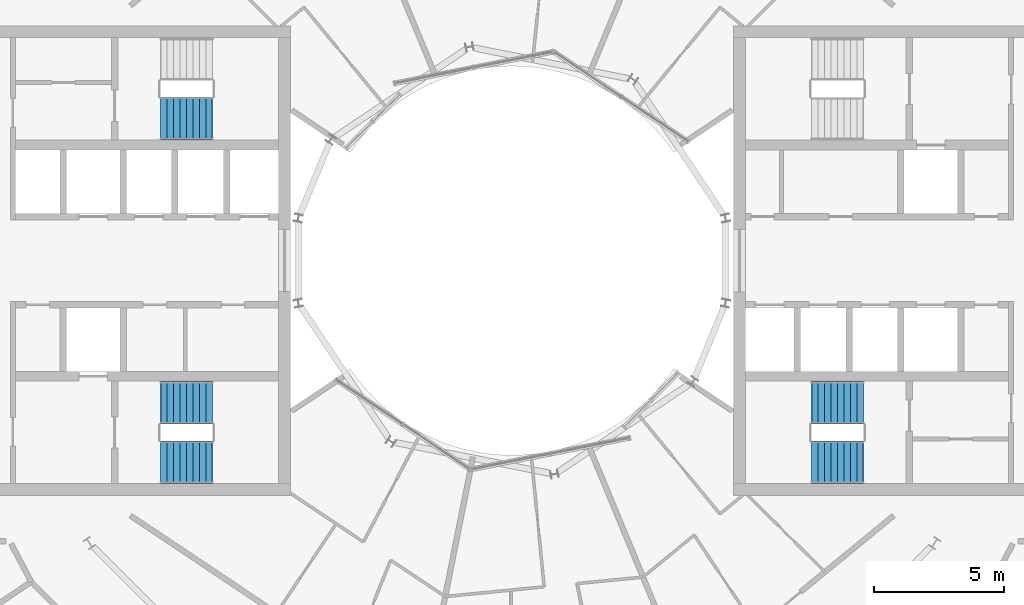
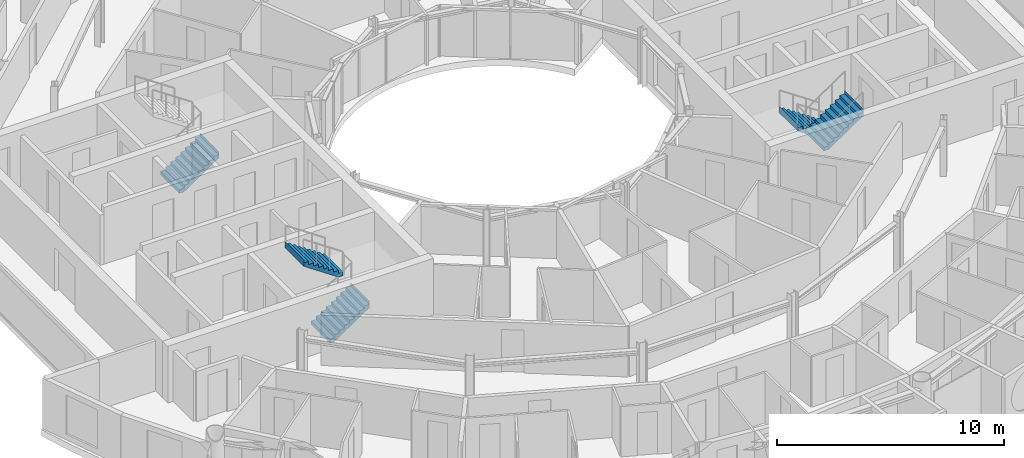
# One storey, part 26 of 29: 5 stair flights, 3 elements without a shape of their own.
"""IFC4 building model written with IfcOpenShell, lengths in metres."""

import ifcopenshell
import ifcopenshell.guid

model = None  # the IFC model being written
_history = None  # IfcOwnerHistory: only IFC2X3 demands one
_inside = {}  # id of a spatial element -> (the spatial element, [elements in it])
_under = {}  # id of a project, library or spatial element -> (it, [spatial elements below it])
_declared = {}  # id of a project -> (the project, [libraries it declares])
_typed = {}  # id of a type object -> (the type object, [elements of that type])
_made_of = {}  # id of a material, layer set ... -> (it, [elements and type objects made of it])


def new_model(schema):
    """Start an empty IFC model of exactly this schema.

    Asked for "IFC4X3", IfcOpenShell would pick the latest addendum, in which some entities
    have other attributes; the version numbers below select the first issue.
    IFC2X3 requires an IfcOwnerHistory on every rooted entity: one is made here for all.
    """
    global model, _history
    if schema == "IFC4X3":
        model = ifcopenshell.file(schema_version=(4, 3, 0, 0))
    else:
        model = ifcopenshell.file(schema=schema)
    _inside.clear()
    _under.clear()
    _declared.clear()
    _typed.clear()
    _made_of.clear()
    _history = None
    if model.schema == "IFC2X3":
        org = make("IfcOrganization", Name="unknown")
        user = make(
            "IfcPersonAndOrganization",
            ThePerson=make("IfcPerson", FamilyName="unknown"),
            TheOrganization=org,
        )
        app = make(
            "IfcApplication",
            ApplicationDeveloper=org,
            Version="unknown",
            ApplicationFullName="unknown",
            ApplicationIdentifier="unknown",
        )
        _history = make(
            "IfcOwnerHistory",
            OwningUser=user,
            OwningApplication=app,
            ChangeAction="ADDED",
            CreationDate=0,
        )
    return model


def make(cls, **values):
    """One entity of the class cls with the attributes given. An attribute that is None is left unset."""
    return model.create_entity(
        cls, **{name: value for name, value in values.items() if value is not None}
    )


def rooted(cls, **values):
    """An entity with a GlobalId (a new one), such as an element, a storey or a relation."""
    return make(cls, GlobalId=ifcopenshell.guid.new(), OwnerHistory=_history, **values)


def si_unit(unit_type, name, prefix=None):
    """IfcSIUnit, for example si_unit("LENGTHUNIT", "METRE", prefix="MILLI")."""
    return make("IfcSIUnit", UnitType=unit_type, Prefix=prefix, Name=name)


def assignment(units):
    """IfcUnitAssignment: the units of a project."""
    return None if units is None else make("IfcUnitAssignment", Units=units)


def point(xyz):
    """IfcCartesianPoint."""
    return None if xyz is None else make("IfcCartesianPoint", Coordinates=xyz)


def direction(xyz):
    """IfcDirection."""
    return None if xyz is None else make("IfcDirection", DirectionRatios=xyz)


def frame(location, z_axis=None, x_axis=None):
    """IfcAxis2Placement3D, a coordinate frame: its origin and axes. An axis left out is left unset."""
    return make(
        "IfcAxis2Placement3D",
        Location=point(location),
        Axis=direction(z_axis),
        RefDirection=direction(x_axis),
    )


def origin():
    """The frame at (0, 0, 0) with its axes left unset."""
    return frame((0.0, 0.0, 0.0))


def place(relative_to, where):
    """IfcLocalPlacement: puts the frame where relative to a parent placement (None: the world)."""
    return make(
        "IfcLocalPlacement", PlacementRelTo=relative_to, RelativePlacement=where
    )


def context(
    kind, dimensions, precision=None, world=None, true_north=None, identifier=None
):
    """IfcGeometricRepresentationContext, for example the 3D "Model" context."""
    return make(
        "IfcGeometricRepresentationContext",
        ContextIdentifier=identifier,
        ContextType=kind,
        CoordinateSpaceDimension=dimensions,
        Precision=precision,
        WorldCoordinateSystem=world,
        TrueNorth=true_north,
    )


def subcontext(parent, identifier, kind, view, scale=None):
    """IfcGeometricRepresentationSubContext, for example "Body" below "Model"."""
    return make(
        "IfcGeometricRepresentationSubContext",
        ContextIdentifier=identifier,
        ContextType=kind,
        ParentContext=parent,
        TargetScale=scale,
        TargetView=view,
    )


def project(units=None, contexts=None):
    """IfcProject with its units and contexts."""
    return rooted(
        "IfcProject",
        Name="project",
        RepresentationContexts=contexts,
        UnitsInContext=assignment(units),
    )


def spatial(cls, under=None, at=None, **own):
    """A site, building, storey or space (cls), placed at a placement, below another one or the project."""
    s = rooted(cls, ObjectPlacement=at, **own)
    if under is not None:
        _under.setdefault(under.id(), (under, []))[1].append(s)
    return s


def point_list(points):
    """IfcCartesianPointList2D or 3D."""
    cls = (
        "IfcCartesianPointList2D" if len(points[0]) == 2 else "IfcCartesianPointList3D"
    )
    return make(cls, CoordList=points)


def triangles(points, corners, closed=None, point_numbers=None):
    """IfcTriangulatedFaceSet: each triangle names its three corners, points numbered from 1."""
    return make(
        "IfcTriangulatedFaceSet",
        Coordinates=point_list(points),
        Closed=closed,
        CoordIndex=corners,
        PnIndex=point_numbers,
    )


def shape(context_of_items, identifier, shape_type, items):
    """IfcShapeRepresentation: the items that make up one representation, for example the "Body"."""
    return make(
        "IfcShapeRepresentation",
        ContextOfItems=context_of_items,
        RepresentationIdentifier=identifier,
        RepresentationType=shape_type,
        Items=items,
    )


def material(Name=None, Category=None):
    """IfcMaterial."""
    return make("IfcMaterial", Name=Name, Category=Category)


def made_of(thing, what):
    """Note that an element or type object is made of a material, layer set ...; save() writes the relation."""
    if what is not None:
        _made_of.setdefault(what.id(), (what, []))[1].append(thing)
    return thing


def type_object(cls, material=None, **own):
    """A type object (cls), such as IfcWallType, which elements share."""
    return made_of(rooted(cls, **own), material)


def element(
    cls,
    number,
    at=None,
    inside=None,
    cuts=None,
    type_object=None,
    material=None,
    context=None,
    identifier="Body",
    shape_type=None,
    held_by="IfcProductDefinitionShape",
    body=None,
    shapes=None,
    **own,
):
    """One element of the class cls, such as IfcWall. Its Tag is "e" and its number.

    at: its placement. inside: the storey or other place that contains it. cuts: it is an
    opening in that element (IfcRelVoidsElement). A single representation is given by context,
    identifier, shape_type and body (its items); several are given by shapes. held_by: the class
    of the entity that holds the representations. save() writes the other relations.
    """
    e = rooted(cls, Tag="e%d" % number, ObjectPlacement=at, **own)
    if body is not None:
        shapes = [shape(context, identifier, shape_type, body)]
    if shapes is not None:
        e.Representation = make(held_by, Representations=shapes)
    if inside is not None:
        _inside.setdefault(inside.id(), (inside, []))[1].append(e)
    if cuts is not None:
        rooted(
            "IfcRelVoidsElement", RelatingBuildingElement=cuts, RelatedOpeningElement=e
        )
    if type_object is not None:
        _typed.setdefault(type_object.id(), (type_object, []))[1].append(e)
    return made_of(e, material)


def aggregate(whole, parts):
    """IfcRelAggregates: a whole, such as a stair, and the parts it consists of."""
    return rooted("IfcRelAggregates", RelatingObject=whole, RelatedObjects=parts)


def save(model, path):
    """Write the relations noted so far, then the file.

    IfcRelAggregates (storeys below a building ...), IfcRelContainedInSpatialStructure (elements
    in a storey), IfcRelDefinesByType, IfcRelAssociatesMaterial and IfcRelDeclares: one each for
    every whole, place, type object, material and project.
    """
    for whole, parts in _under.values():
        aggregate(whole, parts)
    for where, things in _inside.values():
        rooted(
            "IfcRelContainedInSpatialStructure",
            RelatedElements=things,
            RelatingStructure=where,
        )
    for kind, things in _typed.values():
        rooted("IfcRelDefinesByType", RelatedObjects=things, RelatingType=kind)
    for what, things in _made_of.values():
        rooted("IfcRelAssociatesMaterial", RelatedObjects=things, RelatingMaterial=what)
    for by, libraries in _declared.values():
        rooted("IfcRelDeclares", RelatingContext=by, RelatedDefinitions=libraries)
    model.write(path)


model = new_model("IFC4")

# Units and contexts
model_context = context("Model", 3, precision=1e-05, world=origin(), true_north=direction((0.0, 1.0)))
body_context = subcontext(model_context, "Body", "Model", "MODEL_VIEW")
ifc_project = project(units=[si_unit("LENGTHUNIT", "METRE"), si_unit("AREAUNIT", "SQUARE_METRE"), si_unit("VOLUMEUNIT", "CUBIC_METRE"), si_unit("PLANEANGLEUNIT", "RADIAN"), si_unit("MASSUNIT", "GRAM", prefix="KILO")], contexts=[model_context])

# Site, building, storey
site_placement = place(None, origin())
site = spatial("IfcSite", under=ifc_project, at=site_placement, CompositionType="ELEMENT")
building_placement = place(site_placement, origin())
building = spatial("IfcBuilding", under=site, at=building_placement, Name="Maasbend Ring Residences", CompositionType="ELEMENT")
storey_placement = place(building_placement, frame((0.0, 0.0, 215.75)))
storey = spatial("IfcBuildingStorey", under=building, at=storey_placement, Name="L62", CompositionType="ELEMENT", Elevation=215.75)

# Stair, stair flights
ifc_material_1 = material(Name="Concrete C40/50", Category="concrete")
stair_type = type_object("IfcStairType", Name="CORE STAIR 18 RISERS", PredefinedType="HALF_TURN_STAIR", material=ifc_material_1)
stair_1_placement = place(storey_placement, origin())
stair_1 = element("IfcStair", 1, at=stair_1_placement, inside=storey, type_object=stair_type, Name="L62 Exit stair ST-E2", PredefinedType="HALF_TURN_STAIR")
ifc_material_2 = material(Name="Concrete C40/50", Category="concrete")
stair_flight_type = type_object("IfcStairFlightType", Name="CORE STAIR FLIGHT 1650", PredefinedType="STRAIGHT", material=ifc_material_2)
stair_flight_1_placement = place(storey_placement, frame((13.550048828125, -5.47509765625, 0.0), z_axis=(0.0, 0.0, 1.0), x_axis=(-1.0, 0.0, 0.0)))
stair_flight_1 = element("IfcStairFlight", 2, at=stair_flight_1_placement, type_object=stair_flight_type, Name="ST-E2 flight 1", NumberOfRisers=9, NumberOfTreads=8, PredefinedType="STRAIGHT", RiserHeight=0.169444444, TreadLength=0.25, context=body_context, shape_type="Tessellation", body=[
    triangles([(0.24072265625, 0.824951171875, -0.02001953125), (2.0029296875, 0.824951171875, 1.174560546875), (2.0029296875, 0.824951171875, 1.52490234375), (1.989990234375, 0.824951171875, 1.35546875), (1.75, 0.824951171875, 1.35546875), (1.75, 0.824951171875, 1.18603515625), (1.5, 0.824951171875, 1.18603515625), (1.5, 0.824951171875, 1.0166015625), (1.25, 0.824951171875, 1.0166015625), (1.25, 0.824951171875, 0.84716796875), (1.0, 0.824951171875, 0.84716796875), (1.0, 0.824951171875, 0.677734375), (0.75, 0.824951171875, 0.677734375), (0.75, 0.824951171875, 0.50830078125), (0.5, 0.824951171875, 0.50830078125), (0.5, 0.824951171875, 0.3388671875), (0.25, 0.824951171875, 0.3388671875), (0.25, 0.824951171875, 0.16943359375), (0.0, 0.824951171875, 0.16943359375), (0.0, 0.824951171875, 0.0), (-0.0029296875, 0.824951171875, 0.0), (-0.0029296875, 0.824951171875, -0.02001953125), (0.24072265625, 0.27490234375, -0.02001953125), (2.0029296875, 0.27490234375, 1.174560546875), (2.0029296875, 0.27490234375, 1.52490234375), (1.989990234375, 0.27490234375, 1.35546875), (1.75, 0.27490234375, 1.35546875), (1.75, 0.27490234375, 1.18603515625), (1.5, 0.27490234375, 1.18603515625), (1.5, 0.27490234375, 1.0166015625), (1.25, 0.27490234375, 1.0166015625), (1.25, 0.27490234375, 0.84716796875), (1.0, 0.27490234375, 0.84716796875), (1.0, 0.27490234375, 0.677734375), (0.75, 0.27490234375, 0.677734375), (0.75, 0.27490234375, 0.50830078125), (0.5, 0.27490234375, 0.50830078125), (0.5, 0.27490234375, 0.3388671875), (0.25, 0.27490234375, 0.3388671875), (0.25, 0.27490234375, 0.16943359375), (0.0, 0.27490234375, 0.16943359375), (0.0, 0.27490234375, 0.0), (-0.0029296875, 0.27490234375, 0.0), (-0.0029296875, 0.27490234375, -0.02001953125), (0.24072265625, -0.27490234375, -0.02001953125), (2.0029296875, -0.27490234375, 1.174560546875), (2.0029296875, -0.27490234375, 1.52490234375), (1.989990234375, -0.27490234375, 1.35546875), (1.75, -0.27490234375, 1.35546875), (1.75, -0.27490234375, 1.18603515625), (1.5, -0.27490234375, 1.18603515625), (1.5, -0.27490234375, 1.0166015625), (1.25, -0.27490234375, 1.0166015625), (1.25, -0.27490234375, 0.84716796875), (1.0, -0.27490234375, 0.84716796875), (1.0, -0.27490234375, 0.677734375), (0.75, -0.27490234375, 0.677734375), (0.75, -0.27490234375, 0.50830078125), (0.5, -0.27490234375, 0.50830078125), (0.5, -0.27490234375, 0.3388671875), (0.25, -0.27490234375, 0.3388671875), (0.25, -0.27490234375, 0.16943359375), (0.0, -0.27490234375, 0.16943359375), (0.0, -0.27490234375, 0.0), (-0.0029296875, -0.27490234375, 0.0), (-0.0029296875, -0.27490234375, -0.02001953125), (0.24072265625, -0.824951171875, -0.02001953125), (2.0029296875, -0.824951171875, 1.174560546875), (2.0029296875, -0.824951171875, 1.52490234375), (1.989990234375, -0.824951171875, 1.35546875), (1.75, -0.824951171875, 1.35546875), (1.75, -0.824951171875, 1.18603515625), (1.5, -0.824951171875, 1.18603515625), (1.5, -0.824951171875, 1.0166015625), (1.25, -0.824951171875, 1.0166015625), (1.25, -0.824951171875, 0.84716796875), (1.0, -0.824951171875, 0.84716796875), (1.0, -0.824951171875, 0.677734375), (0.75, -0.824951171875, 0.677734375), (0.75, -0.824951171875, 0.50830078125), (0.5, -0.824951171875, 0.50830078125), (0.5, -0.824951171875, 0.3388671875), (0.25, -0.824951171875, 0.3388671875), (0.25, -0.824951171875, 0.16943359375), (0.0, -0.824951171875, 0.16943359375), (0.0, -0.824951171875, 0.0), (-0.0029296875, -0.824951171875, 0.0), (-0.0029296875, -0.824951171875, -0.02001953125)], [[1, 2, 24], [1, 24, 23], [23, 24, 46], [23, 46, 45], [45, 46, 68], [45, 68, 67], [2, 3, 25], [2, 25, 24], [24, 25, 47], [24, 47, 46], [46, 47, 69], [46, 69, 68], [3, 4, 26], [3, 26, 25], [25, 26, 48], [25, 48, 47], [47, 48, 70], [47, 70, 69], [4, 5, 27], [4, 27, 26], [26, 27, 49], [26, 49, 48], [48, 49, 71], [48, 71, 70], [5, 6, 28], [5, 28, 27], [27, 28, 50], [27, 50, 49], [49, 50, 72], [49, 72, 71], [6, 7, 29], [6, 29, 28], [28, 29, 51], [28, 51, 50], [50, 51, 73], [50, 73, 72], [7, 8, 30], [7, 30, 29], [29, 30, 52], [29, 52, 51], [51, 52, 74], [51, 74, 73], [8, 9, 31], [8, 31, 30], [30, 31, 53], [30, 53, 52], [52, 53, 75], [52, 75, 74], [9, 10, 32], [9, 32, 31], [31, 32, 54], [31, 54, 53], [53, 54, 76], [53, 76, 75], [10, 11, 33], [10, 33, 32], [32, 33, 55], [32, 55, 54], [54, 55, 77], [54, 77, 76], [11, 12, 34], [11, 34, 33], [33, 34, 56], [33, 56, 55], [55, 56, 78], [55, 78, 77], [12, 13, 35], [12, 35, 34], [34, 35, 57], [34, 57, 56], [56, 57, 79], [56, 79, 78], [13, 14, 36], [13, 36, 35], [35, 36, 58], [35, 58, 57], [57, 58, 80], [57, 80, 79], [14, 15, 37], [14, 37, 36], [36, 37, 59], [36, 59, 58], [58, 59, 81], [58, 81, 80], [15, 16, 38], [15, 38, 37], [37, 38, 60], [37, 60, 59], [59, 60, 82], [59, 82, 81], [16, 17, 39], [16, 39, 38], [38, 39, 61], [38, 61, 60], [60, 61, 83], [60, 83, 82], [17, 18, 40], [17, 40, 39], [39, 40, 62], [39, 62, 61], [61, 62, 84], [61, 84, 83], [18, 19, 41], [18, 41, 40], [40, 41, 63], [40, 63, 62], [62, 63, 85], [62, 85, 84], [19, 20, 42], [19, 42, 41], [41, 42, 64], [41, 64, 63], [63, 64, 86], [63, 86, 85], [20, 21, 43], [20, 43, 42], [42, 43, 65], [42, 65, 64], [64, 65, 87], [64, 87, 86], [21, 22, 44], [21, 44, 43], [43, 44, 66], [43, 66, 65], [65, 66, 88], [65, 88, 87], [22, 1, 23], [22, 23, 44], [44, 23, 45], [44, 45, 66], [66, 45, 67], [66, 67, 88], [22, 2, 1], [2, 4, 3], [2, 5, 4], [2, 6, 5], [22, 6, 2], [6, 8, 7], [22, 8, 6], [8, 10, 9], [22, 10, 8], [10, 12, 11], [22, 12, 10], [12, 14, 13], [22, 14, 12], [14, 16, 15], [22, 16, 14], [16, 18, 17], [22, 18, 16], [18, 20, 19], [22, 20, 18], [20, 22, 21], [88, 67, 68], [68, 69, 70], [68, 70, 71], [68, 71, 72], [88, 68, 72], [72, 73, 74], [88, 72, 74], [74, 75, 76], [88, 74, 76], [76, 77, 78], [88, 76, 78], [78, 79, 80], [88, 78, 80], [80, 81, 82], [88, 80, 82], [82, 83, 84], [88, 82, 84], [84, 85, 86], [88, 84, 86], [86, 87, 88]], closed=True),
])
stair_flight_2_placement = place(storey_placement, frame((11.550048828125, -7.77490234375, 1.52490234375), z_axis=(0.0, 0.0, 1.0), x_axis=(1.0, 0.0, 0.0)))
stair_flight_2 = element("IfcStairFlight", 3, at=stair_flight_2_placement, type_object=stair_flight_type, Name="ST-E2 flight 2", NumberOfRisers=9, NumberOfTreads=8, PredefinedType="STRAIGHT", RiserHeight=0.169444444, TreadLength=0.25, context=body_context, shape_type="Tessellation", body=[
    triangles([(0.24072265625, 0.824951171875, -0.02001953125), (2.0029296875, 0.824951171875, 1.174560546875), (2.0029296875, 0.824951171875, 1.52490234375), (1.989990234375, 0.824951171875, 1.35546875), (1.75, 0.824951171875, 1.35546875), (1.75, 0.824951171875, 1.18603515625), (1.5, 0.824951171875, 1.18603515625), (1.5, 0.824951171875, 1.0166015625), (1.25, 0.824951171875, 1.0166015625), (1.25, 0.824951171875, 0.84716796875), (1.0, 0.824951171875, 0.84716796875), (1.0, 0.824951171875, 0.677734375), (0.75, 0.824951171875, 0.677734375), (0.75, 0.824951171875, 0.50830078125), (0.5, 0.824951171875, 0.50830078125), (0.5, 0.824951171875, 0.3388671875), (0.25, 0.824951171875, 0.3388671875), (0.25, 0.824951171875, 0.16943359375), (0.0, 0.824951171875, 0.16943359375), (0.0, 0.824951171875, 0.0), (-0.0029296875, 0.824951171875, 0.0), (-0.0029296875, 0.824951171875, -0.02001953125), (0.24072265625, 0.27490234375, -0.02001953125), (2.0029296875, 0.27490234375, 1.174560546875), (2.0029296875, 0.27490234375, 1.52490234375), (1.989990234375, 0.27490234375, 1.35546875), (1.75, 0.27490234375, 1.35546875), (1.75, 0.27490234375, 1.18603515625), (1.5, 0.27490234375, 1.18603515625), (1.5, 0.27490234375, 1.0166015625), (1.25, 0.27490234375, 1.0166015625), (1.25, 0.27490234375, 0.84716796875), (1.0, 0.27490234375, 0.84716796875), (1.0, 0.27490234375, 0.677734375), (0.75, 0.27490234375, 0.677734375), (0.75, 0.27490234375, 0.50830078125), (0.5, 0.27490234375, 0.50830078125), (0.5, 0.27490234375, 0.3388671875), (0.25, 0.27490234375, 0.3388671875), (0.25, 0.27490234375, 0.16943359375), (0.0, 0.27490234375, 0.16943359375), (0.0, 0.27490234375, 0.0), (-0.0029296875, 0.27490234375, 0.0), (-0.0029296875, 0.27490234375, -0.02001953125), (0.24072265625, -0.27490234375, -0.02001953125), (2.0029296875, -0.27490234375, 1.174560546875), (2.0029296875, -0.27490234375, 1.52490234375), (1.989990234375, -0.27490234375, 1.35546875), (1.75, -0.27490234375, 1.35546875), (1.75, -0.27490234375, 1.18603515625), (1.5, -0.27490234375, 1.18603515625), (1.5, -0.27490234375, 1.0166015625), (1.25, -0.27490234375, 1.0166015625), (1.25, -0.27490234375, 0.84716796875), (1.0, -0.27490234375, 0.84716796875), (1.0, -0.27490234375, 0.677734375), (0.75, -0.27490234375, 0.677734375), (0.75, -0.27490234375, 0.50830078125), (0.5, -0.27490234375, 0.50830078125), (0.5, -0.27490234375, 0.3388671875), (0.25, -0.27490234375, 0.3388671875), (0.25, -0.27490234375, 0.16943359375), (0.0, -0.27490234375, 0.16943359375), (0.0, -0.27490234375, 0.0), (-0.0029296875, -0.27490234375, 0.0), (-0.0029296875, -0.27490234375, -0.02001953125), (0.24072265625, -0.824951171875, -0.02001953125), (2.0029296875, -0.824951171875, 1.174560546875), (2.0029296875, -0.824951171875, 1.52490234375), (1.989990234375, -0.824951171875, 1.35546875), (1.75, -0.824951171875, 1.35546875), (1.75, -0.824951171875, 1.18603515625), (1.5, -0.824951171875, 1.18603515625), (1.5, -0.824951171875, 1.0166015625), (1.25, -0.824951171875, 1.0166015625), (1.25, -0.824951171875, 0.84716796875), (1.0, -0.824951171875, 0.84716796875), (1.0, -0.824951171875, 0.677734375), (0.75, -0.824951171875, 0.677734375), (0.75, -0.824951171875, 0.50830078125), (0.5, -0.824951171875, 0.50830078125), (0.5, -0.824951171875, 0.3388671875), (0.25, -0.824951171875, 0.3388671875), (0.25, -0.824951171875, 0.16943359375), (0.0, -0.824951171875, 0.16943359375), (0.0, -0.824951171875, 0.0), (-0.0029296875, -0.824951171875, 0.0), (-0.0029296875, -0.824951171875, -0.02001953125)], [[1, 2, 24], [1, 24, 23], [23, 24, 46], [23, 46, 45], [45, 46, 68], [45, 68, 67], [2, 3, 25], [2, 25, 24], [24, 25, 47], [24, 47, 46], [46, 47, 69], [46, 69, 68], [3, 4, 26], [3, 26, 25], [25, 26, 48], [25, 48, 47], [47, 48, 70], [47, 70, 69], [4, 5, 27], [4, 27, 26], [26, 27, 49], [26, 49, 48], [48, 49, 71], [48, 71, 70], [5, 6, 28], [5, 28, 27], [27, 28, 50], [27, 50, 49], [49, 50, 72], [49, 72, 71], [6, 7, 29], [6, 29, 28], [28, 29, 51], [28, 51, 50], [50, 51, 73], [50, 73, 72], [7, 8, 30], [7, 30, 29], [29, 30, 52], [29, 52, 51], [51, 52, 74], [51, 74, 73], [8, 9, 31], [8, 31, 30], [30, 31, 53], [30, 53, 52], [52, 53, 75], [52, 75, 74], [9, 10, 32], [9, 32, 31], [31, 32, 54], [31, 54, 53], [53, 54, 76], [53, 76, 75], [10, 11, 33], [10, 33, 32], [32, 33, 55], [32, 55, 54], [54, 55, 77], [54, 77, 76], [11, 12, 34], [11, 34, 33], [33, 34, 56], [33, 56, 55], [55, 56, 78], [55, 78, 77], [12, 13, 35], [12, 35, 34], [34, 35, 57], [34, 57, 56], [56, 57, 79], [56, 79, 78], [13, 14, 36], [13, 36, 35], [35, 36, 58], [35, 58, 57], [57, 58, 80], [57, 80, 79], [14, 15, 37], [14, 37, 36], [36, 37, 59], [36, 59, 58], [58, 59, 81], [58, 81, 80], [15, 16, 38], [15, 38, 37], [37, 38, 60], [37, 60, 59], [59, 60, 82], [59, 82, 81], [16, 17, 39], [16, 39, 38], [38, 39, 61], [38, 61, 60], [60, 61, 83], [60, 83, 82], [17, 18, 40], [17, 40, 39], [39, 40, 62], [39, 62, 61], [61, 62, 84], [61, 84, 83], [18, 19, 41], [18, 41, 40], [40, 41, 63], [40, 63, 62], [62, 63, 85], [62, 85, 84], [19, 20, 42], [19, 42, 41], [41, 42, 64], [41, 64, 63], [63, 64, 86], [63, 86, 85], [20, 21, 43], [20, 43, 42], [42, 43, 65], [42, 65, 64], [64, 65, 87], [64, 87, 86], [21, 22, 44], [21, 44, 43], [43, 44, 66], [43, 66, 65], [65, 66, 88], [65, 88, 87], [22, 1, 23], [22, 23, 44], [44, 23, 45], [44, 45, 66], [66, 45, 67], [66, 67, 88], [22, 2, 1], [2, 4, 3], [2, 5, 4], [2, 6, 5], [22, 6, 2], [6, 8, 7], [22, 8, 6], [8, 10, 9], [22, 10, 8], [10, 12, 11], [22, 12, 10], [12, 14, 13], [22, 14, 12], [14, 16, 15], [22, 16, 14], [16, 18, 17], [22, 18, 16], [18, 20, 19], [22, 20, 18], [20, 22, 21], [88, 67, 68], [68, 69, 70], [68, 70, 71], [68, 71, 72], [88, 68, 72], [72, 73, 74], [88, 72, 74], [74, 75, 76], [88, 74, 76], [76, 77, 78], [88, 76, 78], [78, 79, 80], [88, 78, 80], [80, 81, 82], [88, 80, 82], [82, 83, 84], [88, 82, 84], [84, 85, 86], [88, 84, 86], [86, 87, 88]], closed=True),
])
aggregate(stair_1, [stair_flight_1, stair_flight_2])

stair_2_placement = place(storey_placement, origin())
stair_2 = element("IfcStair", 4, at=stair_2_placement, inside=storey, type_object=stair_type, Name="L62 Exit stair ST-W1", PredefinedType="HALF_TURN_STAIR")
stair_flight_3_placement = place(storey_placement, frame((-13.550048828125, -7.77490234375, 0.0), z_axis=(0.0, 0.0, 1.0), x_axis=(1.0, 0.0, 0.0)))
stair_flight_3 = element("IfcStairFlight", 5, at=stair_flight_3_placement, type_object=stair_flight_type, Name="ST-W1 flight 1", NumberOfRisers=9, NumberOfTreads=8, PredefinedType="STRAIGHT", RiserHeight=0.169444444, TreadLength=0.25, context=body_context, shape_type="Tessellation", body=[
    triangles([(0.24072265625, 0.824951171875, -0.02001953125), (2.0029296875, 0.824951171875, 1.174560546875), (2.0029296875, 0.824951171875, 1.52490234375), (1.989990234375, 0.824951171875, 1.35546875), (1.75, 0.824951171875, 1.35546875), (1.75, 0.824951171875, 1.18603515625), (1.5, 0.824951171875, 1.18603515625), (1.5, 0.824951171875, 1.0166015625), (1.25, 0.824951171875, 1.0166015625), (1.25, 0.824951171875, 0.84716796875), (1.0, 0.824951171875, 0.84716796875), (1.0, 0.824951171875, 0.677734375), (0.75, 0.824951171875, 0.677734375), (0.75, 0.824951171875, 0.50830078125), (0.5, 0.824951171875, 0.50830078125), (0.5, 0.824951171875, 0.3388671875), (0.25, 0.824951171875, 0.3388671875), (0.25, 0.824951171875, 0.16943359375), (0.0, 0.824951171875, 0.16943359375), (0.0, 0.824951171875, 0.0), (-0.0029296875, 0.824951171875, 0.0), (-0.0029296875, 0.824951171875, -0.02001953125), (0.24072265625, 0.27490234375, -0.02001953125), (2.0029296875, 0.27490234375, 1.174560546875), (2.0029296875, 0.27490234375, 1.52490234375), (1.989990234375, 0.27490234375, 1.35546875), (1.75, 0.27490234375, 1.35546875), (1.75, 0.27490234375, 1.18603515625), (1.5, 0.27490234375, 1.18603515625), (1.5, 0.27490234375, 1.0166015625), (1.25, 0.27490234375, 1.0166015625), (1.25, 0.27490234375, 0.84716796875), (1.0, 0.27490234375, 0.84716796875), (1.0, 0.27490234375, 0.677734375), (0.75, 0.27490234375, 0.677734375), (0.75, 0.27490234375, 0.50830078125), (0.5, 0.27490234375, 0.50830078125), (0.5, 0.27490234375, 0.3388671875), (0.25, 0.27490234375, 0.3388671875), (0.25, 0.27490234375, 0.16943359375), (0.0, 0.27490234375, 0.16943359375), (0.0, 0.27490234375, 0.0), (-0.0029296875, 0.27490234375, 0.0), (-0.0029296875, 0.27490234375, -0.02001953125), (0.24072265625, -0.27490234375, -0.02001953125), (2.0029296875, -0.27490234375, 1.174560546875), (2.0029296875, -0.27490234375, 1.52490234375), (1.989990234375, -0.27490234375, 1.35546875), (1.75, -0.27490234375, 1.35546875), (1.75, -0.27490234375, 1.18603515625), (1.5, -0.27490234375, 1.18603515625), (1.5, -0.27490234375, 1.0166015625), (1.25, -0.27490234375, 1.0166015625), (1.25, -0.27490234375, 0.84716796875), (1.0, -0.27490234375, 0.84716796875), (1.0, -0.27490234375, 0.677734375), (0.75, -0.27490234375, 0.677734375), (0.75, -0.27490234375, 0.50830078125), (0.5, -0.27490234375, 0.50830078125), (0.5, -0.27490234375, 0.3388671875), (0.25, -0.27490234375, 0.3388671875), (0.25, -0.27490234375, 0.16943359375), (0.0, -0.27490234375, 0.16943359375), (0.0, -0.27490234375, 0.0), (-0.0029296875, -0.27490234375, 0.0), (-0.0029296875, -0.27490234375, -0.02001953125), (0.24072265625, -0.824951171875, -0.02001953125), (2.0029296875, -0.824951171875, 1.174560546875), (2.0029296875, -0.824951171875, 1.52490234375), (1.989990234375, -0.824951171875, 1.35546875), (1.75, -0.824951171875, 1.35546875), (1.75, -0.824951171875, 1.18603515625), (1.5, -0.824951171875, 1.18603515625), (1.5, -0.824951171875, 1.0166015625), (1.25, -0.824951171875, 1.0166015625), (1.25, -0.824951171875, 0.84716796875), (1.0, -0.824951171875, 0.84716796875), (1.0, -0.824951171875, 0.677734375), (0.75, -0.824951171875, 0.677734375), (0.75, -0.824951171875, 0.50830078125), (0.5, -0.824951171875, 0.50830078125), (0.5, -0.824951171875, 0.3388671875), (0.25, -0.824951171875, 0.3388671875), (0.25, -0.824951171875, 0.16943359375), (0.0, -0.824951171875, 0.16943359375), (0.0, -0.824951171875, 0.0), (-0.0029296875, -0.824951171875, 0.0), (-0.0029296875, -0.824951171875, -0.02001953125)], [[1, 2, 24], [1, 24, 23], [23, 24, 46], [23, 46, 45], [45, 46, 68], [45, 68, 67], [2, 3, 25], [2, 25, 24], [24, 25, 47], [24, 47, 46], [46, 47, 69], [46, 69, 68], [3, 4, 26], [3, 26, 25], [25, 26, 48], [25, 48, 47], [47, 48, 70], [47, 70, 69], [4, 5, 27], [4, 27, 26], [26, 27, 49], [26, 49, 48], [48, 49, 71], [48, 71, 70], [5, 6, 28], [5, 28, 27], [27, 28, 50], [27, 50, 49], [49, 50, 72], [49, 72, 71], [6, 7, 29], [6, 29, 28], [28, 29, 51], [28, 51, 50], [50, 51, 73], [50, 73, 72], [7, 8, 30], [7, 30, 29], [29, 30, 52], [29, 52, 51], [51, 52, 74], [51, 74, 73], [8, 9, 31], [8, 31, 30], [30, 31, 53], [30, 53, 52], [52, 53, 75], [52, 75, 74], [9, 10, 32], [9, 32, 31], [31, 32, 54], [31, 54, 53], [53, 54, 76], [53, 76, 75], [10, 11, 33], [10, 33, 32], [32, 33, 55], [32, 55, 54], [54, 55, 77], [54, 77, 76], [11, 12, 34], [11, 34, 33], [33, 34, 56], [33, 56, 55], [55, 56, 78], [55, 78, 77], [12, 13, 35], [12, 35, 34], [34, 35, 57], [34, 57, 56], [56, 57, 79], [56, 79, 78], [13, 14, 36], [13, 36, 35], [35, 36, 58], [35, 58, 57], [57, 58, 80], [57, 80, 79], [14, 15, 37], [14, 37, 36], [36, 37, 59], [36, 59, 58], [58, 59, 81], [58, 81, 80], [15, 16, 38], [15, 38, 37], [37, 38, 60], [37, 60, 59], [59, 60, 82], [59, 82, 81], [16, 17, 39], [16, 39, 38], [38, 39, 61], [38, 61, 60], [60, 61, 83], [60, 83, 82], [17, 18, 40], [17, 40, 39], [39, 40, 62], [39, 62, 61], [61, 62, 84], [61, 84, 83], [18, 19, 41], [18, 41, 40], [40, 41, 63], [40, 63, 62], [62, 63, 85], [62, 85, 84], [19, 20, 42], [19, 42, 41], [41, 42, 64], [41, 64, 63], [63, 64, 86], [63, 86, 85], [20, 21, 43], [20, 43, 42], [42, 43, 65], [42, 65, 64], [64, 65, 87], [64, 87, 86], [21, 22, 44], [21, 44, 43], [43, 44, 66], [43, 66, 65], [65, 66, 88], [65, 88, 87], [22, 1, 23], [22, 23, 44], [44, 23, 45], [44, 45, 66], [66, 45, 67], [66, 67, 88], [22, 2, 1], [2, 4, 3], [2, 5, 4], [2, 6, 5], [22, 6, 2], [6, 8, 7], [22, 8, 6], [8, 10, 9], [22, 10, 8], [10, 12, 11], [22, 12, 10], [12, 14, 13], [22, 14, 12], [14, 16, 15], [22, 16, 14], [16, 18, 17], [22, 18, 16], [18, 20, 19], [22, 20, 18], [20, 22, 21], [88, 67, 68], [68, 69, 70], [68, 70, 71], [68, 71, 72], [88, 68, 72], [72, 73, 74], [88, 72, 74], [74, 75, 76], [88, 74, 76], [76, 77, 78], [88, 76, 78], [78, 79, 80], [88, 78, 80], [80, 81, 82], [88, 80, 82], [82, 83, 84], [88, 82, 84], [84, 85, 86], [88, 84, 86], [86, 87, 88]], closed=True),
])
stair_flight_4_placement = place(storey_placement, frame((-11.550048828125, -5.47509765625, 1.52490234375), z_axis=(0.0, 0.0, 1.0), x_axis=(-1.0, 0.0, 0.0)))
stair_flight_4 = element("IfcStairFlight", 6, at=stair_flight_4_placement, type_object=stair_flight_type, Name="ST-W1 flight 2", NumberOfRisers=9, NumberOfTreads=8, PredefinedType="STRAIGHT", RiserHeight=0.169444444, TreadLength=0.25, context=body_context, shape_type="Tessellation", body=[
    triangles([(0.24072265625, 0.824951171875, -0.02001953125), (2.0029296875, 0.824951171875, 1.174560546875), (2.0029296875, 0.824951171875, 1.52490234375), (1.989990234375, 0.824951171875, 1.35546875), (1.75, 0.824951171875, 1.35546875), (1.75, 0.824951171875, 1.18603515625), (1.5, 0.824951171875, 1.18603515625), (1.5, 0.824951171875, 1.0166015625), (1.25, 0.824951171875, 1.0166015625), (1.25, 0.824951171875, 0.84716796875), (1.0, 0.824951171875, 0.84716796875), (1.0, 0.824951171875, 0.677734375), (0.75, 0.824951171875, 0.677734375), (0.75, 0.824951171875, 0.50830078125), (0.5, 0.824951171875, 0.50830078125), (0.5, 0.824951171875, 0.3388671875), (0.25, 0.824951171875, 0.3388671875), (0.25, 0.824951171875, 0.16943359375), (0.0, 0.824951171875, 0.16943359375), (0.0, 0.824951171875, 0.0), (-0.0029296875, 0.824951171875, 0.0), (-0.0029296875, 0.824951171875, -0.02001953125), (0.24072265625, 0.27490234375, -0.02001953125), (2.0029296875, 0.27490234375, 1.174560546875), (2.0029296875, 0.27490234375, 1.52490234375), (1.989990234375, 0.27490234375, 1.35546875), (1.75, 0.27490234375, 1.35546875), (1.75, 0.27490234375, 1.18603515625), (1.5, 0.27490234375, 1.18603515625), (1.5, 0.27490234375, 1.0166015625), (1.25, 0.27490234375, 1.0166015625), (1.25, 0.27490234375, 0.84716796875), (1.0, 0.27490234375, 0.84716796875), (1.0, 0.27490234375, 0.677734375), (0.75, 0.27490234375, 0.677734375), (0.75, 0.27490234375, 0.50830078125), (0.5, 0.27490234375, 0.50830078125), (0.5, 0.27490234375, 0.3388671875), (0.25, 0.27490234375, 0.3388671875), (0.25, 0.27490234375, 0.16943359375), (0.0, 0.27490234375, 0.16943359375), (0.0, 0.27490234375, 0.0), (-0.0029296875, 0.27490234375, 0.0), (-0.0029296875, 0.27490234375, -0.02001953125), (0.24072265625, -0.27490234375, -0.02001953125), (2.0029296875, -0.27490234375, 1.174560546875), (2.0029296875, -0.27490234375, 1.52490234375), (1.989990234375, -0.27490234375, 1.35546875), (1.75, -0.27490234375, 1.35546875), (1.75, -0.27490234375, 1.18603515625), (1.5, -0.27490234375, 1.18603515625), (1.5, -0.27490234375, 1.0166015625), (1.25, -0.27490234375, 1.0166015625), (1.25, -0.27490234375, 0.84716796875), (1.0, -0.27490234375, 0.84716796875), (1.0, -0.27490234375, 0.677734375), (0.75, -0.27490234375, 0.677734375), (0.75, -0.27490234375, 0.50830078125), (0.5, -0.27490234375, 0.50830078125), (0.5, -0.27490234375, 0.3388671875), (0.25, -0.27490234375, 0.3388671875), (0.25, -0.27490234375, 0.16943359375), (0.0, -0.27490234375, 0.16943359375), (0.0, -0.27490234375, 0.0), (-0.0029296875, -0.27490234375, 0.0), (-0.0029296875, -0.27490234375, -0.02001953125), (0.24072265625, -0.824951171875, -0.02001953125), (2.0029296875, -0.824951171875, 1.174560546875), (2.0029296875, -0.824951171875, 1.52490234375), (1.989990234375, -0.824951171875, 1.35546875), (1.75, -0.824951171875, 1.35546875), (1.75, -0.824951171875, 1.18603515625), (1.5, -0.824951171875, 1.18603515625), (1.5, -0.824951171875, 1.0166015625), (1.25, -0.824951171875, 1.0166015625), (1.25, -0.824951171875, 0.84716796875), (1.0, -0.824951171875, 0.84716796875), (1.0, -0.824951171875, 0.677734375), (0.75, -0.824951171875, 0.677734375), (0.75, -0.824951171875, 0.50830078125), (0.5, -0.824951171875, 0.50830078125), (0.5, -0.824951171875, 0.3388671875), (0.25, -0.824951171875, 0.3388671875), (0.25, -0.824951171875, 0.16943359375), (0.0, -0.824951171875, 0.16943359375), (0.0, -0.824951171875, 0.0), (-0.0029296875, -0.824951171875, 0.0), (-0.0029296875, -0.824951171875, -0.02001953125)], [[1, 2, 24], [1, 24, 23], [23, 24, 46], [23, 46, 45], [45, 46, 68], [45, 68, 67], [2, 3, 25], [2, 25, 24], [24, 25, 47], [24, 47, 46], [46, 47, 69], [46, 69, 68], [3, 4, 26], [3, 26, 25], [25, 26, 48], [25, 48, 47], [47, 48, 70], [47, 70, 69], [4, 5, 27], [4, 27, 26], [26, 27, 49], [26, 49, 48], [48, 49, 71], [48, 71, 70], [5, 6, 28], [5, 28, 27], [27, 28, 50], [27, 50, 49], [49, 50, 72], [49, 72, 71], [6, 7, 29], [6, 29, 28], [28, 29, 51], [28, 51, 50], [50, 51, 73], [50, 73, 72], [7, 8, 30], [7, 30, 29], [29, 30, 52], [29, 52, 51], [51, 52, 74], [51, 74, 73], [8, 9, 31], [8, 31, 30], [30, 31, 53], [30, 53, 52], [52, 53, 75], [52, 75, 74], [9, 10, 32], [9, 32, 31], [31, 32, 54], [31, 54, 53], [53, 54, 76], [53, 76, 75], [10, 11, 33], [10, 33, 32], [32, 33, 55], [32, 55, 54], [54, 55, 77], [54, 77, 76], [11, 12, 34], [11, 34, 33], [33, 34, 56], [33, 56, 55], [55, 56, 78], [55, 78, 77], [12, 13, 35], [12, 35, 34], [34, 35, 57], [34, 57, 56], [56, 57, 79], [56, 79, 78], [13, 14, 36], [13, 36, 35], [35, 36, 58], [35, 58, 57], [57, 58, 80], [57, 80, 79], [14, 15, 37], [14, 37, 36], [36, 37, 59], [36, 59, 58], [58, 59, 81], [58, 81, 80], [15, 16, 38], [15, 38, 37], [37, 38, 60], [37, 60, 59], [59, 60, 82], [59, 82, 81], [16, 17, 39], [16, 39, 38], [38, 39, 61], [38, 61, 60], [60, 61, 83], [60, 83, 82], [17, 18, 40], [17, 40, 39], [39, 40, 62], [39, 62, 61], [61, 62, 84], [61, 84, 83], [18, 19, 41], [18, 41, 40], [40, 41, 63], [40, 63, 62], [62, 63, 85], [62, 85, 84], [19, 20, 42], [19, 42, 41], [41, 42, 64], [41, 64, 63], [63, 64, 86], [63, 86, 85], [20, 21, 43], [20, 43, 42], [42, 43, 65], [42, 65, 64], [64, 65, 87], [64, 87, 86], [21, 22, 44], [21, 44, 43], [43, 44, 66], [43, 66, 65], [65, 66, 88], [65, 88, 87], [22, 1, 23], [22, 23, 44], [44, 23, 45], [44, 45, 66], [66, 45, 67], [66, 67, 88], [22, 2, 1], [2, 4, 3], [2, 5, 4], [2, 6, 5], [22, 6, 2], [6, 8, 7], [22, 8, 6], [8, 10, 9], [22, 10, 8], [10, 12, 11], [22, 12, 10], [12, 14, 13], [22, 14, 12], [14, 16, 15], [22, 16, 14], [16, 18, 17], [22, 18, 16], [18, 20, 19], [22, 20, 18], [20, 22, 21], [88, 67, 68], [68, 69, 70], [68, 70, 71], [68, 71, 72], [88, 68, 72], [72, 73, 74], [88, 72, 74], [74, 75, 76], [88, 74, 76], [76, 77, 78], [88, 76, 78], [78, 79, 80], [88, 78, 80], [80, 81, 82], [88, 80, 82], [82, 83, 84], [88, 82, 84], [84, 85, 86], [88, 84, 86], [86, 87, 88]], closed=True),
])
aggregate(stair_2, [stair_flight_3, stair_flight_4])

# Stair, stair flight
stair_3_placement = place(storey_placement, origin())
stair_3 = element("IfcStair", 7, at=stair_3_placement, inside=storey, type_object=stair_type, Name="L62 Exit stair ST-W2", PredefinedType="HALF_TURN_STAIR")
stair_flight_5_placement = place(storey_placement, frame((-13.550048828125, 5.47509765625, 0.0), z_axis=(0.0, 0.0, 1.0), x_axis=(1.0, 0.0, 0.0)))
stair_flight_5 = element("IfcStairFlight", 8, at=stair_flight_5_placement, type_object=stair_flight_type, Name="ST-W2 flight 1", NumberOfRisers=9, NumberOfTreads=8, PredefinedType="STRAIGHT", RiserHeight=0.169444444, TreadLength=0.25, context=body_context, shape_type="Tessellation", body=[
    triangles([(0.24072265625, 0.824951171875, -0.02001953125), (2.0029296875, 0.824951171875, 1.174560546875), (2.0029296875, 0.824951171875, 1.52490234375), (1.989990234375, 0.824951171875, 1.35546875), (1.75, 0.824951171875, 1.35546875), (1.75, 0.824951171875, 1.18603515625), (1.5, 0.824951171875, 1.18603515625), (1.5, 0.824951171875, 1.0166015625), (1.25, 0.824951171875, 1.0166015625), (1.25, 0.824951171875, 0.84716796875), (1.0, 0.824951171875, 0.84716796875), (1.0, 0.824951171875, 0.677734375), (0.75, 0.824951171875, 0.677734375), (0.75, 0.824951171875, 0.50830078125), (0.5, 0.824951171875, 0.50830078125), (0.5, 0.824951171875, 0.3388671875), (0.25, 0.824951171875, 0.3388671875), (0.25, 0.824951171875, 0.16943359375), (0.0, 0.824951171875, 0.16943359375), (0.0, 0.824951171875, 0.0), (-0.0029296875, 0.824951171875, 0.0), (-0.0029296875, 0.824951171875, -0.02001953125), (0.24072265625, 0.27490234375, -0.02001953125), (2.0029296875, 0.27490234375, 1.174560546875), (2.0029296875, 0.27490234375, 1.52490234375), (1.989990234375, 0.27490234375, 1.35546875), (1.75, 0.27490234375, 1.35546875), (1.75, 0.27490234375, 1.18603515625), (1.5, 0.27490234375, 1.18603515625), (1.5, 0.27490234375, 1.0166015625), (1.25, 0.27490234375, 1.0166015625), (1.25, 0.27490234375, 0.84716796875), (1.0, 0.27490234375, 0.84716796875), (1.0, 0.27490234375, 0.677734375), (0.75, 0.27490234375, 0.677734375), (0.75, 0.27490234375, 0.50830078125), (0.5, 0.27490234375, 0.50830078125), (0.5, 0.27490234375, 0.3388671875), (0.25, 0.27490234375, 0.3388671875), (0.25, 0.27490234375, 0.16943359375), (0.0, 0.27490234375, 0.16943359375), (0.0, 0.27490234375, 0.0), (-0.0029296875, 0.27490234375, 0.0), (-0.0029296875, 0.27490234375, -0.02001953125), (0.24072265625, -0.27490234375, -0.02001953125), (2.0029296875, -0.27490234375, 1.174560546875), (2.0029296875, -0.27490234375, 1.52490234375), (1.989990234375, -0.27490234375, 1.35546875), (1.75, -0.27490234375, 1.35546875), (1.75, -0.27490234375, 1.18603515625), (1.5, -0.27490234375, 1.18603515625), (1.5, -0.27490234375, 1.0166015625), (1.25, -0.27490234375, 1.0166015625), (1.25, -0.27490234375, 0.84716796875), (1.0, -0.27490234375, 0.84716796875), (1.0, -0.27490234375, 0.677734375), (0.75, -0.27490234375, 0.677734375), (0.75, -0.27490234375, 0.50830078125), (0.5, -0.27490234375, 0.50830078125), (0.5, -0.27490234375, 0.3388671875), (0.25, -0.27490234375, 0.3388671875), (0.25, -0.27490234375, 0.16943359375), (0.0, -0.27490234375, 0.16943359375), (0.0, -0.27490234375, 0.0), (-0.0029296875, -0.27490234375, 0.0), (-0.0029296875, -0.27490234375, -0.02001953125), (0.24072265625, -0.824951171875, -0.02001953125), (2.0029296875, -0.824951171875, 1.174560546875), (2.0029296875, -0.824951171875, 1.52490234375), (1.989990234375, -0.824951171875, 1.35546875), (1.75, -0.824951171875, 1.35546875), (1.75, -0.824951171875, 1.18603515625), (1.5, -0.824951171875, 1.18603515625), (1.5, -0.824951171875, 1.0166015625), (1.25, -0.824951171875, 1.0166015625), (1.25, -0.824951171875, 0.84716796875), (1.0, -0.824951171875, 0.84716796875), (1.0, -0.824951171875, 0.677734375), (0.75, -0.824951171875, 0.677734375), (0.75, -0.824951171875, 0.50830078125), (0.5, -0.824951171875, 0.50830078125), (0.5, -0.824951171875, 0.3388671875), (0.25, -0.824951171875, 0.3388671875), (0.25, -0.824951171875, 0.16943359375), (0.0, -0.824951171875, 0.16943359375), (0.0, -0.824951171875, 0.0), (-0.0029296875, -0.824951171875, 0.0), (-0.0029296875, -0.824951171875, -0.02001953125)], [[1, 2, 24], [1, 24, 23], [23, 24, 46], [23, 46, 45], [45, 46, 68], [45, 68, 67], [2, 3, 25], [2, 25, 24], [24, 25, 47], [24, 47, 46], [46, 47, 69], [46, 69, 68], [3, 4, 26], [3, 26, 25], [25, 26, 48], [25, 48, 47], [47, 48, 70], [47, 70, 69], [4, 5, 27], [4, 27, 26], [26, 27, 49], [26, 49, 48], [48, 49, 71], [48, 71, 70], [5, 6, 28], [5, 28, 27], [27, 28, 50], [27, 50, 49], [49, 50, 72], [49, 72, 71], [6, 7, 29], [6, 29, 28], [28, 29, 51], [28, 51, 50], [50, 51, 73], [50, 73, 72], [7, 8, 30], [7, 30, 29], [29, 30, 52], [29, 52, 51], [51, 52, 74], [51, 74, 73], [8, 9, 31], [8, 31, 30], [30, 31, 53], [30, 53, 52], [52, 53, 75], [52, 75, 74], [9, 10, 32], [9, 32, 31], [31, 32, 54], [31, 54, 53], [53, 54, 76], [53, 76, 75], [10, 11, 33], [10, 33, 32], [32, 33, 55], [32, 55, 54], [54, 55, 77], [54, 77, 76], [11, 12, 34], [11, 34, 33], [33, 34, 56], [33, 56, 55], [55, 56, 78], [55, 78, 77], [12, 13, 35], [12, 35, 34], [34, 35, 57], [34, 57, 56], [56, 57, 79], [56, 79, 78], [13, 14, 36], [13, 36, 35], [35, 36, 58], [35, 58, 57], [57, 58, 80], [57, 80, 79], [14, 15, 37], [14, 37, 36], [36, 37, 59], [36, 59, 58], [58, 59, 81], [58, 81, 80], [15, 16, 38], [15, 38, 37], [37, 38, 60], [37, 60, 59], [59, 60, 82], [59, 82, 81], [16, 17, 39], [16, 39, 38], [38, 39, 61], [38, 61, 60], [60, 61, 83], [60, 83, 82], [17, 18, 40], [17, 40, 39], [39, 40, 62], [39, 62, 61], [61, 62, 84], [61, 84, 83], [18, 19, 41], [18, 41, 40], [40, 41, 63], [40, 63, 62], [62, 63, 85], [62, 85, 84], [19, 20, 42], [19, 42, 41], [41, 42, 64], [41, 64, 63], [63, 64, 86], [63, 86, 85], [20, 21, 43], [20, 43, 42], [42, 43, 65], [42, 65, 64], [64, 65, 87], [64, 87, 86], [21, 22, 44], [21, 44, 43], [43, 44, 66], [43, 66, 65], [65, 66, 88], [65, 88, 87], [22, 1, 23], [22, 23, 44], [44, 23, 45], [44, 45, 66], [66, 45, 67], [66, 67, 88], [22, 2, 1], [2, 4, 3], [2, 5, 4], [2, 6, 5], [22, 6, 2], [6, 8, 7], [22, 8, 6], [8, 10, 9], [22, 10, 8], [10, 12, 11], [22, 12, 10], [12, 14, 13], [22, 14, 12], [14, 16, 15], [22, 16, 14], [16, 18, 17], [22, 18, 16], [18, 20, 19], [22, 20, 18], [20, 22, 21], [88, 67, 68], [68, 69, 70], [68, 70, 71], [68, 71, 72], [88, 68, 72], [72, 73, 74], [88, 72, 74], [74, 75, 76], [88, 74, 76], [76, 77, 78], [88, 76, 78], [78, 79, 80], [88, 78, 80], [80, 81, 82], [88, 80, 82], [82, 83, 84], [88, 82, 84], [84, 85, 86], [88, 84, 86], [86, 87, 88]], closed=True),
])
aggregate(stair_3, [stair_flight_5])

save(model, "model.ifc")
